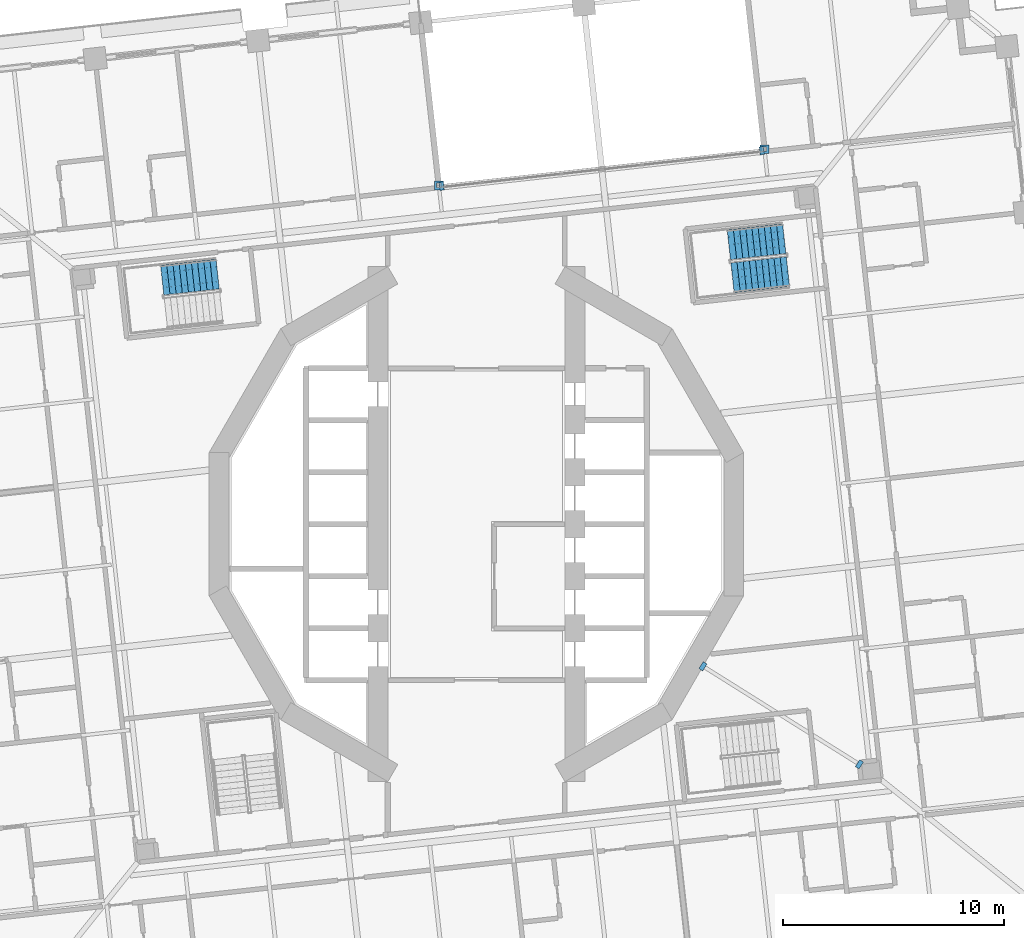
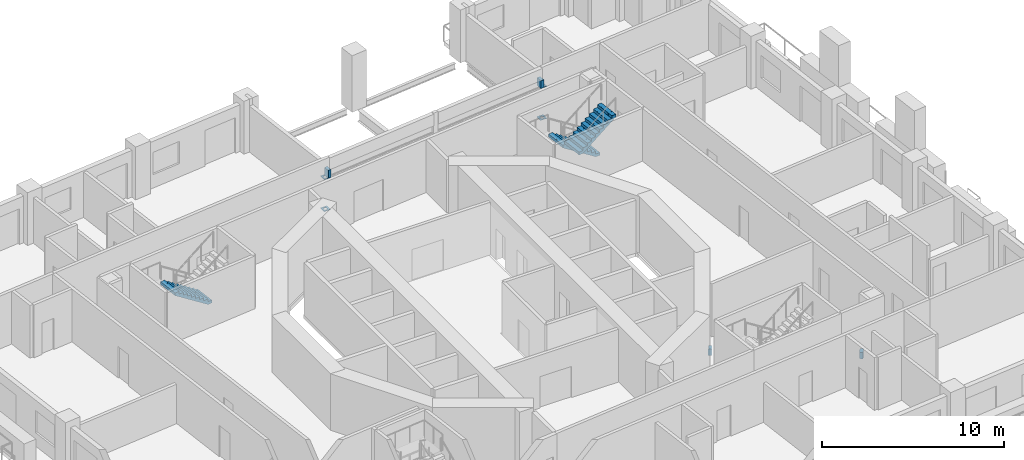
# One storey, part 14 of 20: 8 discrete accessories, 3 stair flights, 2 elements without a shape of their own.
"""IFC4 building model written with IfcOpenShell, lengths in metres."""

from ifc_helpers import new_model, si_unit, direction, frame, origin, place, context, subcontext, project, spatial, polyline, outline, extrude, material, layer, layer_set, type_object, element, aggregate, save


model = new_model("IFC4")

# Units and contexts
model_context = context("Model", 3, precision=1e-05, world=origin(), true_north=direction((0.0, 1.0)))
body_context = subcontext(model_context, "Body", "Model", "MODEL_VIEW")
ifc_project = project(units=[si_unit("LENGTHUNIT", "METRE"), si_unit("AREAUNIT", "SQUARE_METRE"), si_unit("VOLUMEUNIT", "CUBIC_METRE"), si_unit("PLANEANGLEUNIT", "RADIAN"), si_unit("MASSUNIT", "GRAM", prefix="KILO")], contexts=[model_context])

# Site, building, storey
site_placement = place(None, origin())
site = spatial("IfcSite", under=ifc_project, at=site_placement, CompositionType="ELEMENT")
building_placement = place(site_placement, origin())
building = spatial("IfcBuilding", under=site, at=building_placement, Name="Cantera Rosa Tower", CompositionType="ELEMENT")
storey_placement = place(building_placement, frame((0.0, 0.0, 46.300048828125)))
storey = spatial("IfcBuildingStorey", under=building, at=storey_placement, Name="L08", CompositionType="ELEMENT", Elevation=46.300048828125)

# Stair, stair flights
ifc_material_1 = material(Name="Concrete C35/45", Category="concrete")
stair_type = type_object("IfcStairType", Name="EXIT STAIR 1350 DOGLEG", PredefinedType="HALF_TURN_STAIR", material=ifc_material_1)
stair_1_placement = place(storey_placement, origin())
stair_1 = element("IfcStair", 1, at=stair_1_placement, inside=storey, type_object=stair_type, Name="L08 ST-11", PredefinedType="HALF_TURN_STAIR")
ifc_material_2 = material(Name="Concrete C35/45", Category="concrete")
stair_flight_type = type_object("IfcStairFlightType", Name="STAIR FLIGHT 1350 R20x190", PredefinedType="STRAIGHT", material=ifc_material_2)
stair_flight_1_placement = place(storey_placement, frame((13.90869140625, 12.89990234375, 0.0), z_axis=(0.0, 0.0, 1.0), x_axis=(-0.993896947056, -0.110312549749, 0.0)))
stair_flight_1 = element("IfcStairFlight", 2, at=stair_flight_1_placement, type_object=stair_flight_type, Name="ST-11 flight 1", NumberOfRisers=10, NumberOfTreads=9, PredefinedType="STRAIGHT", RiserHeight=0.19, TreadLength=0.28, context=body_context, shape_type="SweptSolid", body=[
    extrude(outline(polyline([(0.0, 0.0), (0.0, 0.18994140625), (0.280029296875, 0.18994140625), (0.280029296875, 0.3798828125), (0.56005859375, 0.3798828125), (0.56005859375, 0.570068359375), (0.840087890625, 0.570068359375), (0.840087890625, 0.760009765625), (1.1201171875, 0.760009765625), (1.1201171875, 0.949951171875), (1.39990234375, 0.949951171875), (1.39990234375, 1.139892578125), (1.679931640625, 1.139892578125), (1.679931640625, 1.330078125), (1.9599609375, 1.330078125), (1.9599609375, 1.52001953125), (2.239990234375, 1.52001953125), (2.239990234375, 1.7099609375), (2.52001953125, 1.7099609375), (2.52001953125, 1.89990234375), (2.52001953125, 1.52880859375), (0.266845703125, 0.0), (0.0, 0.0)])), frame((0.0, 0.675048828125, 0.0), z_axis=(0.0, -1.0, 0.0), x_axis=(1.0, 0.0, 0.0)), (0.0, 0.0, 1.0), 0.3359375),
    extrude(outline(polyline([(0.0, 0.0), (0.0, 0.18994140625), (0.280029296875, 0.18994140625), (0.280029296875, 0.3798828125), (0.56005859375, 0.3798828125), (0.56005859375, 0.570068359375), (0.840087890625, 0.570068359375), (0.840087890625, 0.760009765625), (1.1201171875, 0.760009765625), (1.1201171875, 0.949951171875), (1.39990234375, 0.949951171875), (1.39990234375, 1.139892578125), (1.679931640625, 1.139892578125), (1.679931640625, 1.330078125), (1.9599609375, 1.330078125), (1.9599609375, 1.52001953125), (2.239990234375, 1.52001953125), (2.239990234375, 1.7099609375), (2.52001953125, 1.7099609375), (2.52001953125, 1.89990234375), (2.52001953125, 1.52880859375), (0.266845703125, 0.0), (0.0, 0.0)])), frame((0.0, 0.337158203125, 0.0), z_axis=(0.0, -1.0, 0.0), x_axis=(1.0, 0.0, 0.0)), (0.0, 0.0, 1.0), 0.3359375),
    extrude(outline(polyline([(0.0, 0.0), (0.0, 0.18994140625), (0.280029296875, 0.18994140625), (0.280029296875, 0.3798828125), (0.56005859375, 0.3798828125), (0.56005859375, 0.570068359375), (0.840087890625, 0.570068359375), (0.840087890625, 0.760009765625), (1.1201171875, 0.760009765625), (1.1201171875, 0.949951171875), (1.39990234375, 0.949951171875), (1.39990234375, 1.139892578125), (1.679931640625, 1.139892578125), (1.679931640625, 1.330078125), (1.9599609375, 1.330078125), (1.9599609375, 1.52001953125), (2.239990234375, 1.52001953125), (2.239990234375, 1.7099609375), (2.52001953125, 1.7099609375), (2.52001953125, 1.89990234375), (2.52001953125, 1.52880859375), (0.266845703125, 0.0), (0.0, 0.0)])), frame((0.0, -0.000732421875, 0.0), z_axis=(0.0, -1.0, 0.0), x_axis=(1.0, 0.0, 0.0)), (0.0, 0.0, 1.0), 0.3359375),
    extrude(outline(polyline([(0.0, 0.0), (0.0, 0.18994140625), (0.280029296875, 0.18994140625), (0.280029296875, 0.3798828125), (0.56005859375, 0.3798828125), (0.56005859375, 0.570068359375), (0.840087890625, 0.570068359375), (0.840087890625, 0.760009765625), (1.1201171875, 0.760009765625), (1.1201171875, 0.949951171875), (1.39990234375, 0.949951171875), (1.39990234375, 1.139892578125), (1.679931640625, 1.139892578125), (1.679931640625, 1.330078125), (1.9599609375, 1.330078125), (1.9599609375, 1.52001953125), (2.239990234375, 1.52001953125), (2.239990234375, 1.7099609375), (2.52001953125, 1.7099609375), (2.52001953125, 1.89990234375), (2.52001953125, 1.52880859375), (0.266845703125, 0.0), (0.0, 0.0)])), frame((0.0, -0.338623046875, 0.0), z_axis=(0.0, -1.0, 0.0), x_axis=(1.0, 0.0, 0.0)), (0.0, 0.0, 1.0), 0.3359375),
])
stair_flight_2_placement = place(storey_placement, frame((11.569580078125, 11.131103515625, 1.89990234375), z_axis=(0.0, 0.0, 1.0), x_axis=(0.993896947056, 0.110312549749, 0.0)))
stair_flight_2 = element("IfcStairFlight", 3, at=stair_flight_2_placement, type_object=stair_flight_type, Name="ST-11 flight 2", NumberOfRisers=10, NumberOfTreads=9, PredefinedType="STRAIGHT", RiserHeight=0.19, TreadLength=0.28, context=body_context, shape_type="SweptSolid", body=[
    extrude(outline(polyline([(0.0, 0.0), (0.0, 0.18994140625), (0.280029296875, 0.18994140625), (0.280029296875, 0.3798828125), (0.56005859375, 0.3798828125), (0.56005859375, 0.570068359375), (0.840087890625, 0.570068359375), (0.840087890625, 0.760009765625), (1.1201171875, 0.760009765625), (1.1201171875, 0.949951171875), (1.39990234375, 0.949951171875), (1.39990234375, 1.139892578125), (1.679931640625, 1.139892578125), (1.679931640625, 1.330078125), (1.9599609375, 1.330078125), (1.9599609375, 1.52001953125), (2.239990234375, 1.52001953125), (2.239990234375, 1.7099609375), (2.52001953125, 1.7099609375), (2.52001953125, 1.89990234375), (2.52001953125, 1.52880859375), (0.266845703125, 0.0), (0.0, 0.0)])), frame((0.0, 0.675048828125, 0.0), z_axis=(0.0, -1.0, 0.0), x_axis=(1.0, 0.0, 0.0)), (0.0, 0.0, 1.0), 0.3359375),
    extrude(outline(polyline([(0.0, 0.0), (0.0, 0.18994140625), (0.280029296875, 0.18994140625), (0.280029296875, 0.3798828125), (0.56005859375, 0.3798828125), (0.56005859375, 0.570068359375), (0.840087890625, 0.570068359375), (0.840087890625, 0.760009765625), (1.1201171875, 0.760009765625), (1.1201171875, 0.949951171875), (1.39990234375, 0.949951171875), (1.39990234375, 1.139892578125), (1.679931640625, 1.139892578125), (1.679931640625, 1.330078125), (1.9599609375, 1.330078125), (1.9599609375, 1.52001953125), (2.239990234375, 1.52001953125), (2.239990234375, 1.7099609375), (2.52001953125, 1.7099609375), (2.52001953125, 1.89990234375), (2.52001953125, 1.52880859375), (0.266845703125, 0.0), (0.0, 0.0)])), frame((0.0, 0.337158203125, 0.0), z_axis=(0.0, -1.0, 0.0), x_axis=(1.0, 0.0, 0.0)), (0.0, 0.0, 1.0), 0.3359375),
    extrude(outline(polyline([(0.0, 0.0), (0.0, 0.18994140625), (0.280029296875, 0.18994140625), (0.280029296875, 0.3798828125), (0.56005859375, 0.3798828125), (0.56005859375, 0.570068359375), (0.840087890625, 0.570068359375), (0.840087890625, 0.760009765625), (1.1201171875, 0.760009765625), (1.1201171875, 0.949951171875), (1.39990234375, 0.949951171875), (1.39990234375, 1.139892578125), (1.679931640625, 1.139892578125), (1.679931640625, 1.330078125), (1.9599609375, 1.330078125), (1.9599609375, 1.52001953125), (2.239990234375, 1.52001953125), (2.239990234375, 1.7099609375), (2.52001953125, 1.7099609375), (2.52001953125, 1.89990234375), (2.52001953125, 1.52880859375), (0.266845703125, 0.0), (0.0, 0.0)])), frame((0.0, -0.000732421875, 0.0), z_axis=(0.0, -1.0, 0.0), x_axis=(1.0, 0.0, 0.0)), (0.0, 0.0, 1.0), 0.3359375),
    extrude(outline(polyline([(0.0, 0.0), (0.0, 0.18994140625), (0.280029296875, 0.18994140625), (0.280029296875, 0.3798828125), (0.56005859375, 0.3798828125), (0.56005859375, 0.570068359375), (0.840087890625, 0.570068359375), (0.840087890625, 0.760009765625), (1.1201171875, 0.760009765625), (1.1201171875, 0.949951171875), (1.39990234375, 0.949951171875), (1.39990234375, 1.139892578125), (1.679931640625, 1.139892578125), (1.679931640625, 1.330078125), (1.9599609375, 1.330078125), (1.9599609375, 1.52001953125), (2.239990234375, 1.52001953125), (2.239990234375, 1.7099609375), (2.52001953125, 1.7099609375), (2.52001953125, 1.89990234375), (2.52001953125, 1.52880859375), (0.266845703125, 0.0), (0.0, 0.0)])), frame((0.0, -0.338623046875, 0.0), z_axis=(0.0, -1.0, 0.0), x_axis=(1.0, 0.0, 0.0)), (0.0, 0.0, 1.0), 0.3359375),
])
aggregate(stair_1, [stair_flight_1, stair_flight_2])

# Stair, stair flight
stair_2_placement = place(storey_placement, origin())
stair_2 = element("IfcStair", 4, at=stair_2_placement, inside=storey, type_object=stair_type, Name="L08 ST-12", PredefinedType="HALF_TURN_STAIR")
stair_flight_3_placement = place(storey_placement, frame((-11.691162109375, 11.2998046875, 0.0), z_axis=(0.0, 0.0, 1.0), x_axis=(-0.993896947056, -0.110312549749, 0.0)))
stair_flight_3 = element("IfcStairFlight", 5, at=stair_flight_3_placement, type_object=stair_flight_type, Name="ST-12 flight 1", NumberOfRisers=10, NumberOfTreads=9, PredefinedType="STRAIGHT", RiserHeight=0.19, TreadLength=0.28, context=body_context, shape_type="SweptSolid", body=[
    extrude(outline(polyline([(0.0, 0.0), (0.0, 0.18994140625), (0.280029296875, 0.18994140625), (0.280029296875, 0.3798828125), (0.56005859375, 0.3798828125), (0.56005859375, 0.570068359375), (0.840087890625, 0.570068359375), (0.840087890625, 0.760009765625), (1.1201171875, 0.760009765625), (1.1201171875, 0.949951171875), (1.39990234375, 0.949951171875), (1.39990234375, 1.139892578125), (1.679931640625, 1.139892578125), (1.679931640625, 1.330078125), (1.9599609375, 1.330078125), (1.9599609375, 1.52001953125), (2.239990234375, 1.52001953125), (2.239990234375, 1.7099609375), (2.52001953125, 1.7099609375), (2.52001953125, 1.89990234375), (2.52001953125, 1.52880859375), (0.266845703125, 0.0), (0.0, 0.0)])), frame((0.0, 0.675048828125, 0.0), z_axis=(0.0, -1.0, 0.0), x_axis=(1.0, 0.0, 0.0)), (0.0, 0.0, 1.0), 0.3359375),
    extrude(outline(polyline([(0.0, 0.0), (0.0, 0.18994140625), (0.280029296875, 0.18994140625), (0.280029296875, 0.3798828125), (0.56005859375, 0.3798828125), (0.56005859375, 0.570068359375), (0.840087890625, 0.570068359375), (0.840087890625, 0.760009765625), (1.1201171875, 0.760009765625), (1.1201171875, 0.949951171875), (1.39990234375, 0.949951171875), (1.39990234375, 1.139892578125), (1.679931640625, 1.139892578125), (1.679931640625, 1.330078125), (1.9599609375, 1.330078125), (1.9599609375, 1.52001953125), (2.239990234375, 1.52001953125), (2.239990234375, 1.7099609375), (2.52001953125, 1.7099609375), (2.52001953125, 1.89990234375), (2.52001953125, 1.52880859375), (0.266845703125, 0.0), (0.0, 0.0)])), frame((0.0, 0.337158203125, 0.0), z_axis=(0.0, -1.0, 0.0), x_axis=(1.0, 0.0, 0.0)), (0.0, 0.0, 1.0), 0.3359375),
    extrude(outline(polyline([(0.0, 0.0), (0.0, 0.18994140625), (0.280029296875, 0.18994140625), (0.280029296875, 0.3798828125), (0.56005859375, 0.3798828125), (0.56005859375, 0.570068359375), (0.840087890625, 0.570068359375), (0.840087890625, 0.760009765625), (1.1201171875, 0.760009765625), (1.1201171875, 0.949951171875), (1.39990234375, 0.949951171875), (1.39990234375, 1.139892578125), (1.679931640625, 1.139892578125), (1.679931640625, 1.330078125), (1.9599609375, 1.330078125), (1.9599609375, 1.52001953125), (2.239990234375, 1.52001953125), (2.239990234375, 1.7099609375), (2.52001953125, 1.7099609375), (2.52001953125, 1.89990234375), (2.52001953125, 1.52880859375), (0.266845703125, 0.0), (0.0, 0.0)])), frame((0.0, -0.000732421875, 0.0), z_axis=(0.0, -1.0, 0.0), x_axis=(1.0, 0.0, 0.0)), (0.0, 0.0, 1.0), 0.3359375),
    extrude(outline(polyline([(0.0, 0.0), (0.0, 0.18994140625), (0.280029296875, 0.18994140625), (0.280029296875, 0.3798828125), (0.56005859375, 0.3798828125), (0.56005859375, 0.570068359375), (0.840087890625, 0.570068359375), (0.840087890625, 0.760009765625), (1.1201171875, 0.760009765625), (1.1201171875, 0.949951171875), (1.39990234375, 0.949951171875), (1.39990234375, 1.139892578125), (1.679931640625, 1.139892578125), (1.679931640625, 1.330078125), (1.9599609375, 1.330078125), (1.9599609375, 1.52001953125), (2.239990234375, 1.52001953125), (2.239990234375, 1.7099609375), (2.52001953125, 1.7099609375), (2.52001953125, 1.89990234375), (2.52001953125, 1.52880859375), (0.266845703125, 0.0), (0.0, 0.0)])), frame((0.0, -0.338623046875, 0.0), z_axis=(0.0, -1.0, 0.0), x_axis=(1.0, 0.0, 0.0)), (0.0, 0.0, 1.0), 0.3359375),
])
aggregate(stair_2, [stair_flight_3])

# Discrete accessories
ifc_material_3 = material(Name="Steel ASTM A992 (Fy 345 MPa)", Category="steel")
ifc_layer = layer(ifc_material_3, 0.0400390625)
ifc_layer_set = layer_set([ifc_layer], Name="STEEL BEARING PLATE 40")
discrete_accessory_type = type_object("IfcDiscreteAccessoryType", Name="STEEL BEARING PLATE 40", PredefinedType="ANCHORPLATE", material=ifc_layer_set)
discrete_accessory_1_placement = place(storey_placement, frame((0.0, 0.0, -0.72802734375)))
element("IfcDiscreteAccessory", 6, at=discrete_accessory_1_placement, inside=storey, type_object=discrete_accessory_type, Name="BEARING PLATE PG-Z1-01 end 1 L08", PredefinedType="ANCHORPLATE", context=body_context, shape_type="SweptSolid", body=[
    extrude(outline(polyline([(17.12060546875, -10.952392578125), (17.2900390625, -11.05859375), (17.484619140625, -10.74853515625), (17.315185546875, -10.642333984375), (17.12060546875, -10.952392578125)])), origin(), (0.0, 0.0, 1.0), 0.427978515625),
])
discrete_accessory_2_placement = place(storey_placement, frame((0.0, 0.0, -0.72802734375)))
element("IfcDiscreteAccessory", 7, at=discrete_accessory_2_placement, inside=storey, type_object=discrete_accessory_type, Name="BEARING PLATE PG-Z1-01 end 2 L08", PredefinedType="ANCHORPLATE", context=body_context, shape_type="SweptSolid", body=[
    extrude(outline(polyline([(10.41796875, -6.317138671875), (10.248291015625, -6.210693359375), (10.053955078125, -6.52099609375), (10.223388671875, -6.627197265625), (10.41796875, -6.317138671875)])), origin(), (0.0, 0.0, 1.0), 0.427978515625),
])
for number, where, name in (
    (8, (0.0, 0.0, 0.0), "POST PLATE L08-1F"),
    (9, (0.0, 0.0, 2.14794921875), "POST PLATE L08-1T"),
):
    element("IfcDiscreteAccessory", number, at=place(storey_placement, frame(where)), inside=storey, type_object=discrete_accessory_type, Name=name, PredefinedType="ANCHORPLATE", context=body_context, shape_type="SweptSolid", body=[
        extrude(outline(polyline([(12.810791015625, 16.738525390625), (13.2109375, 16.738525390625), (13.2109375, 17.138671875), (12.810791015625, 17.138671875), (12.810791015625, 16.738525390625)]), holes=[polyline([(12.910888671875, 16.838623046875), (13.11083984375, 16.838623046875), (13.11083984375, 17.03857421875), (12.910888671875, 17.03857421875), (12.910888671875, 16.838623046875)])]), origin(), (0.0, 0.0, 1.0), 0.0400390625),
    ])
for number, where, name in (
    (10, (0.0, 0.0, 0.0), "POST PLATE L08-2F"),
    (11, (0.0, 0.0, 2.14794921875), "POST PLATE L08-2T"),
):
    element("IfcDiscreteAccessory", number, at=place(storey_placement, frame(where)), inside=storey, type_object=discrete_accessory_type, Name=name, PredefinedType="ANCHORPLATE", context=body_context, shape_type="SweptSolid", body=[
        extrude(outline(polyline([(-1.898681640625, 15.10595703125), (-1.498779296875, 15.10595703125), (-1.498779296875, 15.506103515625), (-1.898681640625, 15.506103515625), (-1.898681640625, 15.10595703125)]), holes=[polyline([(-1.798828125, 15.2060546875), (-1.598876953125, 15.2060546875), (-1.598876953125, 15.406005859375), (-1.798828125, 15.406005859375), (-1.798828125, 15.2060546875)])]), origin(), (0.0, 0.0, 1.0), 0.0400390625),
    ])
discrete_accessory_3_placement = place(storey_placement, frame((0.0, 0.0, 2.18798828125)))
element("IfcDiscreteAccessory", 12, at=discrete_accessory_3_placement, inside=storey, type_object=discrete_accessory_type, Name="LINTEL PLATE L08-1", PredefinedType="ANCHORPLATE", context=body_context, shape_type="SweptSolid", body=[
    extrude(outline(polyline([(12.81298828125, 16.68212890625), (13.01171875, 16.704345703125), (12.97119140625, 17.068115234375), (12.772705078125, 17.0458984375), (12.81298828125, 16.68212890625)])), origin(), (0.0, 0.0, 1.0), 0.528076171875),
])
discrete_accessory_4_placement = place(storey_placement, frame((0.0, 0.0, 2.18798828125)))
element("IfcDiscreteAccessory", 13, at=discrete_accessory_4_placement, inside=storey, type_object=discrete_accessory_type, Name="LINTEL PLATE L08-2", PredefinedType="ANCHORPLATE", context=body_context, shape_type="SweptSolid", body=[
    extrude(outline(polyline([(-1.489990234375, 15.462890625), (-1.688720703125, 15.44091796875), (-1.648193359375, 15.0771484375), (-1.449462890625, 15.099365234375), (-1.489990234375, 15.462890625)])), origin(), (0.0, 0.0, 1.0), 0.528076171875),
])

save(model, "model.ifc")
